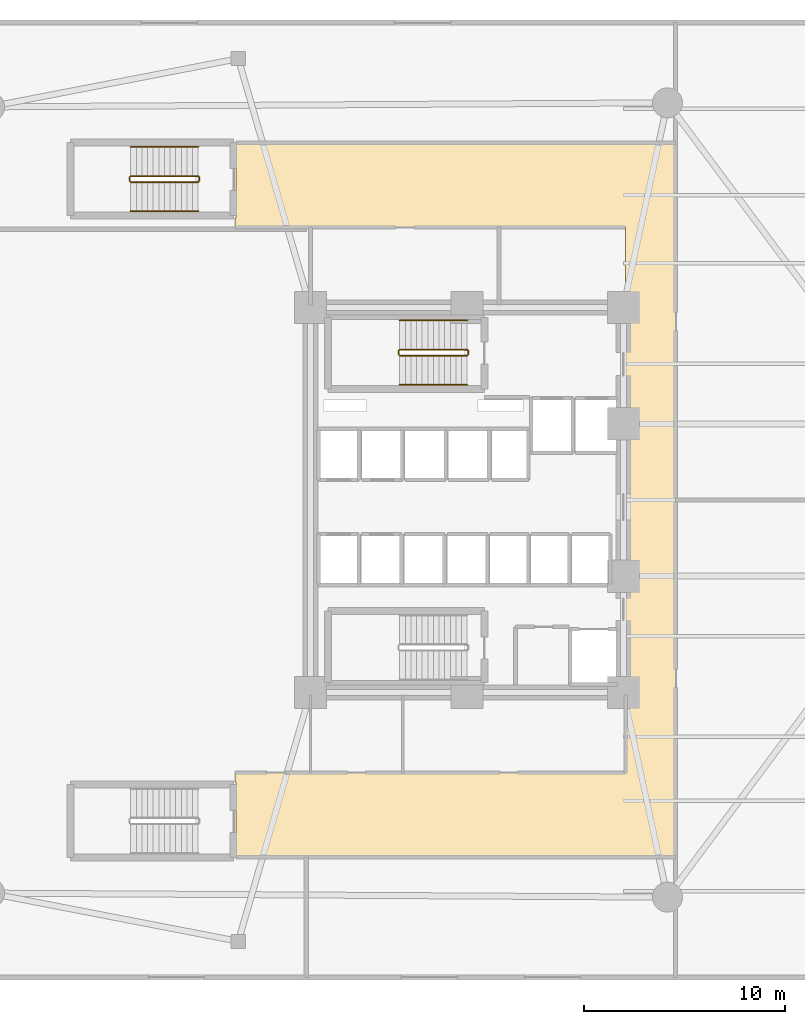
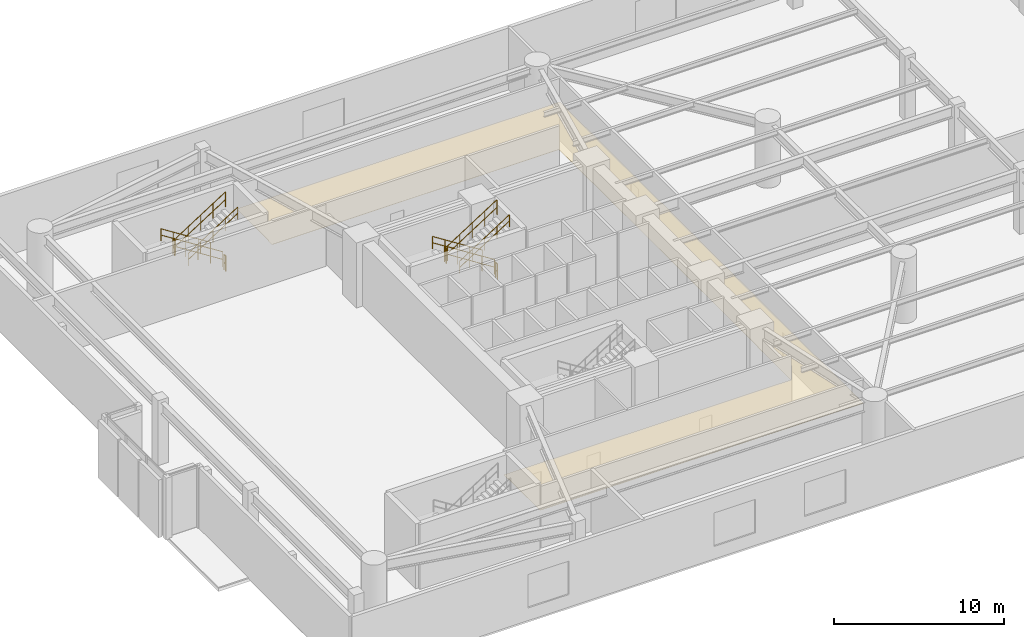
# One storey, part 15 of 16: 12 railings, 1 covering.
"""IFC4 building model written with IfcOpenShell, lengths in metres."""

from ifc_helpers import new_model, si_unit, direction, frame, origin, origin_2d, place, context, subcontext, project, spatial, polyline, circle, outline, extrude, material, layer, layer_set, type_object, element, save


model = new_model("IFC4")

# Units and contexts
model_context = context("Model", 3, precision=1e-05, world=origin(), true_north=direction((0.0, 1.0)))
body_context = subcontext(model_context, "Body", "Model", "MODEL_VIEW")
ifc_project = project(units=[si_unit("LENGTHUNIT", "METRE"), si_unit("AREAUNIT", "SQUARE_METRE"), si_unit("VOLUMEUNIT", "CUBIC_METRE"), si_unit("PLANEANGLEUNIT", "RADIAN"), si_unit("MASSUNIT", "GRAM", prefix="KILO")], contexts=[model_context])

# Site, building, storey
site_placement = place(None, origin())
site = spatial("IfcSite", under=ifc_project, at=site_placement, CompositionType="ELEMENT")
building_placement = place(site_placement, origin())
building = spatial("IfcBuilding", under=site, at=building_placement, Name="An Khanh Terracotta Commons", CompositionType="ELEMENT")
storey_placement = place(building_placement, frame((0.0, 0.0, 10.050048828125)))
storey = spatial("IfcBuildingStorey", under=building, at=storey_placement, Name="L03", CompositionType="ELEMENT", Elevation=10.050048828125)

# Covering
ifc_material_1 = material(Name="Perforated Mineral-Fibre Acoustic Tile")
ifc_layer = layer(ifc_material_1, 0.02001953125, Name="Perforated Mineral-Fibre Acoustic Tile")
ifc_layer_set = layer_set([ifc_layer], Name="Perforated Mineral-Fibre Acoustic Tile")
covering_type = type_object("IfcCoveringType", Name="CEIL-ACOUSTIC-18", PredefinedType="CEILING", material=ifc_layer_set)
covering_placement = place(storey_placement, frame((0.0, 0.0, 2.64990234375)))
element("IfcCovering", 1, at=covering_placement, inside=storey, type_object=covering_type, Name="L03 Gallery Ceiling", PredefinedType="CEILING", context=body_context, shape_type="SweptSolid", body=[
    extrude(outline(polyline([(17.889892578125, 6.199951171875), (17.889892578125, 9.93994140625), (17.85009765625, 9.93994140625), (17.85009765625, 10.39990234375), (37.300048828125, 10.39990234375), (37.300048828125, 14.280029296875), (37.320068359375, 14.280029296875), (37.320068359375, 33.719970703125), (37.300048828125, 33.719970703125), (37.300048828125, 37.60009765625), (17.85009765625, 37.60009765625), (17.85009765625, 38.06005859375), (17.889892578125, 38.06005859375), (17.889892578125, 41.800048828125), (39.800048828125, 41.800048828125), (39.800048828125, 40.0), (39.800048828125, 37.60009765625), (39.800048828125, 10.39990234375), (39.800048828125, 8.0), (39.800048828125, 6.199951171875), (17.889892578125, 6.199951171875)])), origin(), (0.0, 0.0, 1.0), 0.02001953125),
])

# Railings
ifc_material_2 = material(Name="Brushed Stainless Steel 316", Category="steel")
railing_type_1 = type_object("IfcRailingType", Name="RAIL-HANDRAIL-900", PredefinedType="HANDRAIL", material=ifc_material_2)
railing_1_placement = place(storey_placement, frame((29.409912109375, 32.949951171875, 0.1787109375)))
element("IfcRailing", 2, at=railing_1_placement, inside=storey, type_object=railing_type_1, Name="L03 ST-01 stair handrail 1", PredefinedType="HANDRAIL", context=body_context, shape_type="SweptSolid", body=[
    extrude(circle(Radius=0.02392578125, at=origin_2d()), frame((0.0, 0.0, 0.8759765625), z_axis=(-0.842734844946, 0.0, 0.538328878209), x_axis=(0.0, -1.0, 0.0)), (0.0, 0.0, 1.0), 3.98681640625),
    extrude(circle(Radius=0.02392578125, at=origin_2d()), frame((0.0, 0.0, 0.42578125), z_axis=(-0.842734844946, 0.0, 0.538328878209), x_axis=(0.0, -1.0, 0.0)), (0.0, 0.0, 1.0), 3.98681640625),
    extrude(circle(Radius=0.02099609375, at=origin_2d()), origin(), (0.0, 0.0, 1.0), 0.851806640625),
    extrude(circle(Radius=0.02099609375, at=origin_2d()), frame((-0.83984375, 0.0, 0.53662109375)), (0.0, 0.0, 1.0), 0.851806640625),
    extrude(circle(Radius=0.02099609375, at=origin_2d()), frame((-1.679931640625, 0.0, 1.0732421875)), (0.0, 0.0, 1.0), 0.851806640625),
    extrude(circle(Radius=0.02099609375, at=origin_2d()), frame((-2.52001953125, 0.0, 1.609619140625)), (0.0, 0.0, 1.0), 0.851806640625),
    extrude(circle(Radius=0.02099609375, at=origin_2d()), frame((-3.35986328125, 0.0, 2.146240234375)), (0.0, 0.0, 1.0), 0.851806640625),
])
railing_2_placement = place(storey_placement, frame((26.050048828125, 29.75, 2.50390625)))
element("IfcRailing", 3, at=railing_2_placement, inside=storey, type_object=railing_type_1, Name="L03 ST-01 stair handrail 2", PredefinedType="HANDRAIL", context=body_context, shape_type="SweptSolid", body=[
    extrude(circle(Radius=0.02392578125, at=origin_2d()), frame((0.0, 0.0, 0.8759765625), z_axis=(0.842762625749, 0.0, 0.538285385869), x_axis=(0.0, 1.0, 0.0)), (0.0, 0.0, 1.0), 3.98681640625),
    extrude(circle(Radius=0.02392578125, at=origin_2d()), frame((0.0, 0.0, 0.42578125), z_axis=(0.842762625749, 0.0, 0.538285385869), x_axis=(0.0, 1.0, 0.0)), (0.0, 0.0, 1.0), 3.98681640625),
    extrude(circle(Radius=0.02099609375, at=origin_2d()), origin(), (0.0, 0.0, 1.0), 0.851806640625),
    extrude(circle(Radius=0.02099609375, at=origin_2d()), frame((0.83984375, 0.0, 0.53662109375)), (0.0, 0.0, 1.0), 0.851806640625),
    extrude(circle(Radius=0.02099609375, at=origin_2d()), frame((1.679931640625, 0.0, 1.072998046875)), (0.0, 0.0, 1.0), 0.851806640625),
    extrude(circle(Radius=0.02099609375, at=origin_2d()), frame((2.52001953125, 0.0, 1.609375)), (0.0, 0.0, 1.0), 0.851806640625),
    extrude(circle(Radius=0.02099609375, at=origin_2d()), frame((3.35986328125, 0.0, 2.14599609375)), (0.0, 0.0, 1.0), 0.851806640625),
])
railing_3_placement = place(storey_placement, frame((16.0, 41.60009765625, 0.1787109375)))
element("IfcRailing", 4, at=railing_3_placement, inside=storey, type_object=railing_type_1, Name="L03 ST-P2 stair handrail 1", PredefinedType="HANDRAIL", context=body_context, shape_type="SweptSolid", body=[
    extrude(circle(Radius=0.02392578125, at=origin_2d()), frame((0.0, 0.0, 0.8759765625), z_axis=(-0.842752589747, 0.0, 0.538301098341), x_axis=(0.0, -1.0, 0.0)), (0.0, 0.0, 1.0), 3.987060546875),
    extrude(circle(Radius=0.02392578125, at=origin_2d()), frame((0.0, 0.0, 0.42578125), z_axis=(-0.842752589747, 0.0, 0.538301098341), x_axis=(0.0, -1.0, 0.0)), (0.0, 0.0, 1.0), 3.987060546875),
    extrude(circle(Radius=0.02099609375, at=origin_2d()), origin(), (0.0, 0.0, 1.0), 0.851806640625),
    extrude(circle(Radius=0.02099609375, at=origin_2d()), frame((-0.840087890625, 0.0, 0.53662109375)), (0.0, 0.0, 1.0), 0.851806640625),
    extrude(circle(Radius=0.02099609375, at=origin_2d()), frame((-1.68017578125, 0.0, 1.0732421875)), (0.0, 0.0, 1.0), 0.851806640625),
    extrude(circle(Radius=0.02099609375, at=origin_2d()), frame((-2.52001953125, 0.0, 1.609619140625)), (0.0, 0.0, 1.0), 0.851806640625),
    extrude(circle(Radius=0.02099609375, at=origin_2d()), frame((-3.360107421875, 0.0, 2.146240234375)), (0.0, 0.0, 1.0), 0.851806640625),
])
railing_4_placement = place(storey_placement, frame((12.639892578125, 38.39990234375, 2.50390625)))
element("IfcRailing", 5, at=railing_4_placement, inside=storey, type_object=railing_type_1, Name="L03 ST-P2 stair handrail 2", PredefinedType="HANDRAIL", context=body_context, shape_type="SweptSolid", body=[
    extrude(circle(Radius=0.02392578125, at=origin_2d()), frame((0.0, 0.0, 0.8759765625), z_axis=(0.842780368268, 0.0, 0.538257606414), x_axis=(0.0, 1.0, 0.0)), (0.0, 0.0, 1.0), 3.98681640625),
    extrude(circle(Radius=0.02392578125, at=origin_2d()), frame((0.0, 0.0, 0.42578125), z_axis=(0.842780368268, 0.0, 0.538257606414), x_axis=(0.0, 1.0, 0.0)), (0.0, 0.0, 1.0), 3.98681640625),
    extrude(circle(Radius=0.02099609375, at=origin_2d()), origin(), (0.0, 0.0, 1.0), 0.851806640625),
    extrude(circle(Radius=0.02099609375, at=origin_2d()), frame((0.840087890625, 0.0, 0.53662109375)), (0.0, 0.0, 1.0), 0.851806640625),
    extrude(circle(Radius=0.02099609375, at=origin_2d()), frame((1.68017578125, 0.0, 1.072998046875)), (0.0, 0.0, 1.0), 0.851806640625),
    extrude(circle(Radius=0.02099609375, at=origin_2d()), frame((2.52001953125, 0.0, 1.609375)), (0.0, 0.0, 1.0), 0.851806640625),
    extrude(circle(Radius=0.02099609375, at=origin_2d()), frame((3.360107421875, 0.0, 2.14599609375)), (0.0, 0.0, 1.0), 0.851806640625),
])
ifc_material_3 = material(Name="Powder-Coated Steel S355J2", Category="steel")
railing_type_2 = type_object("IfcRailingType", Name="RAIL-STAIR-GUARD-1100", PredefinedType="BALUSTRADE", material=ifc_material_3)
railing_5_placement = place(storey_placement, frame((29.409912109375, 31.5, 0.1787109375)))
element("IfcRailing", 6, at=railing_5_placement, inside=storey, type_object=railing_type_2, Name="L03 ST-01 stair guard 1", PredefinedType="BALUSTRADE", context=body_context, shape_type="SweptSolid", body=[
    extrude(circle(Radius=0.02392578125, at=origin_2d()), frame((0.0, 0.0, 1.076171875), z_axis=(-0.842734844946, 0.0, 0.538328878209), x_axis=(0.0, -1.0, 0.0)), (0.0, 0.0, 1.0), 3.98681640625),
    extrude(circle(Radius=0.02392578125, at=origin_2d()), frame((0.0, 0.0, 0.52587890625), z_axis=(-0.842734844946, 0.0, 0.538328878209), x_axis=(0.0, -1.0, 0.0)), (0.0, 0.0, 1.0), 3.98681640625),
    extrude(circle(Radius=0.02099609375, at=origin_2d()), origin(), (0.0, 0.0, 1.0), 1.052001953125),
    extrude(circle(Radius=0.02099609375, at=origin_2d()), frame((-0.83984375, 0.0, 0.53662109375)), (0.0, 0.0, 1.0), 1.052001953125),
    extrude(circle(Radius=0.02099609375, at=origin_2d()), frame((-1.679931640625, 0.0, 1.0732421875)), (0.0, 0.0, 1.0), 1.052001953125),
    extrude(circle(Radius=0.02099609375, at=origin_2d()), frame((-2.52001953125, 0.0, 1.609619140625)), (0.0, 0.0, 1.0), 1.052001953125),
    extrude(circle(Radius=0.02099609375, at=origin_2d()), frame((-3.35986328125, 0.0, 2.146240234375)), (0.0, 0.0, 1.0), 1.052001953125),
])
railing_6_placement = place(storey_placement, frame((26.0, 31.449951171875, 2.324951171875)))
element("IfcRailing", 7, at=railing_6_placement, inside=storey, type_object=railing_type_2, Name="L03 ST-01 stair guard 2", PredefinedType="BALUSTRADE", context=body_context, shape_type="SweptSolid", body=[
    extrude(circle(Radius=0.02392578125, at=origin_2d()), frame((0.0, 0.0, 1.076171875), z_axis=(0.0, -1.0, 0.0), x_axis=(1.0, 0.0, 0.0)), (0.0, 0.0, 1.0), 0.199951171875),
    extrude(circle(Radius=0.02392578125, at=origin_2d()), frame((0.0, 0.0, 0.52587890625), z_axis=(0.0, -1.0, 0.0), x_axis=(1.0, 0.0, 0.0)), (0.0, 0.0, 1.0), 0.199951171875),
    extrude(circle(Radius=0.02099609375, at=origin_2d()), origin(), (0.0, 0.0, 1.0), 1.052001953125),
    extrude(circle(Radius=0.02099609375, at=origin_2d()), frame((0.0, -0.199951171875, 0.0)), (0.0, 0.0, 1.0), 1.052001953125),
])
railing_7_placement = place(storey_placement, frame((26.050048828125, 31.199951171875, 2.50390625)))
element("IfcRailing", 8, at=railing_7_placement, inside=storey, type_object=railing_type_2, Name="L03 ST-01 stair guard 3", PredefinedType="BALUSTRADE", context=body_context, shape_type="SweptSolid", body=[
    extrude(circle(Radius=0.02392578125, at=origin_2d()), frame((0.0, 0.0, 1.076171875), z_axis=(0.842762625749, 0.0, 0.538285385869), x_axis=(0.0, 1.0, 0.0)), (0.0, 0.0, 1.0), 3.98681640625),
    extrude(circle(Radius=0.02392578125, at=origin_2d()), frame((0.0, 0.0, 0.52587890625), z_axis=(0.842762625749, 0.0, 0.538285385869), x_axis=(0.0, 1.0, 0.0)), (0.0, 0.0, 1.0), 3.98681640625),
    extrude(circle(Radius=0.02099609375, at=origin_2d()), origin(), (0.0, 0.0, 1.0), 1.052001953125),
    extrude(circle(Radius=0.02099609375, at=origin_2d()), frame((0.83984375, 0.0, 0.53662109375)), (0.0, 0.0, 1.0), 1.052001953125),
    extrude(circle(Radius=0.02099609375, at=origin_2d()), frame((1.679931640625, 0.0, 1.072998046875)), (0.0, 0.0, 1.0), 1.052001953125),
    extrude(circle(Radius=0.02099609375, at=origin_2d()), frame((2.52001953125, 0.0, 1.609375)), (0.0, 0.0, 1.0), 1.052001953125),
    extrude(circle(Radius=0.02099609375, at=origin_2d()), frame((3.35986328125, 0.0, 2.14599609375)), (0.0, 0.0, 1.0), 1.052001953125),
])
railing_8_placement = place(storey_placement, frame((29.4599609375, 31.449951171875, 0.0)))
element("IfcRailing", 9, at=railing_8_placement, inside=storey, type_object=railing_type_2, Name="L03 ST-01 stair guard 4", PredefinedType="BALUSTRADE", context=body_context, shape_type="SweptSolid", body=[
    extrude(circle(Radius=0.02392578125, at=origin_2d()), frame((0.0, 0.0, 1.076171875), z_axis=(0.0, -1.0, 0.0), x_axis=(1.0, 0.0, 0.0)), (0.0, 0.0, 1.0), 0.199951171875),
    extrude(circle(Radius=0.02392578125, at=origin_2d()), frame((0.0, 0.0, 0.52587890625), z_axis=(0.0, -1.0, 0.0), x_axis=(1.0, 0.0, 0.0)), (0.0, 0.0, 1.0), 0.199951171875),
    extrude(circle(Radius=0.02099609375, at=origin_2d()), origin(), (0.0, 0.0, 1.0), 1.052001953125),
    extrude(circle(Radius=0.02099609375, at=origin_2d()), frame((0.0, -0.199951171875, 0.0)), (0.0, 0.0, 1.0), 1.052001953125),
])
railing_9_placement = place(storey_placement, frame((16.0, 40.14990234375, 0.1787109375)))
element("IfcRailing", 10, at=railing_9_placement, inside=storey, type_object=railing_type_2, Name="L03 ST-P2 stair guard 1", PredefinedType="BALUSTRADE", context=body_context, shape_type="SweptSolid", body=[
    extrude(circle(Radius=0.02392578125, at=origin_2d()), frame((0.0, 0.0, 1.076171875), z_axis=(-0.842752589747, 0.0, 0.538301098341), x_axis=(0.0, -1.0, 0.0)), (0.0, 0.0, 1.0), 3.987060546875),
    extrude(circle(Radius=0.02392578125, at=origin_2d()), frame((0.0, 0.0, 0.52587890625), z_axis=(-0.842752589747, 0.0, 0.538301098341), x_axis=(0.0, -1.0, 0.0)), (0.0, 0.0, 1.0), 3.987060546875),
    extrude(circle(Radius=0.02099609375, at=origin_2d()), origin(), (0.0, 0.0, 1.0), 1.052001953125),
    extrude(circle(Radius=0.02099609375, at=origin_2d()), frame((-0.840087890625, 0.0, 0.53662109375)), (0.0, 0.0, 1.0), 1.052001953125),
    extrude(circle(Radius=0.02099609375, at=origin_2d()), frame((-1.68017578125, 0.0, 1.0732421875)), (0.0, 0.0, 1.0), 1.052001953125),
    extrude(circle(Radius=0.02099609375, at=origin_2d()), frame((-2.52001953125, 0.0, 1.609619140625)), (0.0, 0.0, 1.0), 1.052001953125),
    extrude(circle(Radius=0.02099609375, at=origin_2d()), frame((-3.360107421875, 0.0, 2.146240234375)), (0.0, 0.0, 1.0), 1.052001953125),
])
railing_10_placement = place(storey_placement, frame((12.590087890625, 40.10009765625, 2.324951171875)))
element("IfcRailing", 11, at=railing_10_placement, inside=storey, type_object=railing_type_2, Name="L03 ST-P2 stair guard 2", PredefinedType="BALUSTRADE", context=body_context, shape_type="SweptSolid", body=[
    extrude(circle(Radius=0.02392578125, at=origin_2d()), frame((0.0, 0.0, 1.076171875), z_axis=(0.0, -1.0, 0.0), x_axis=(1.0, 0.0, 0.0)), (0.0, 0.0, 1.0), 0.2001953125),
    extrude(circle(Radius=0.02392578125, at=origin_2d()), frame((0.0, 0.0, 0.52587890625), z_axis=(0.0, -1.0, 0.0), x_axis=(1.0, 0.0, 0.0)), (0.0, 0.0, 1.0), 0.2001953125),
    extrude(circle(Radius=0.02099609375, at=origin_2d()), origin(), (0.0, 0.0, 1.0), 1.052001953125),
    extrude(circle(Radius=0.02099609375, at=origin_2d()), frame((0.0, -0.2001953125, 0.0)), (0.0, 0.0, 1.0), 1.052001953125),
])
railing_11_placement = place(storey_placement, frame((12.639892578125, 39.85009765625, 2.50390625)))
element("IfcRailing", 12, at=railing_11_placement, inside=storey, type_object=railing_type_2, Name="L03 ST-P2 stair guard 3", PredefinedType="BALUSTRADE", context=body_context, shape_type="SweptSolid", body=[
    extrude(circle(Radius=0.02392578125, at=origin_2d()), frame((0.0, 0.0, 1.076171875), z_axis=(0.842780368268, 0.0, 0.538257606414), x_axis=(0.0, 1.0, 0.0)), (0.0, 0.0, 1.0), 3.98681640625),
    extrude(circle(Radius=0.02392578125, at=origin_2d()), frame((0.0, 0.0, 0.52587890625), z_axis=(0.842780368268, 0.0, 0.538257606414), x_axis=(0.0, 1.0, 0.0)), (0.0, 0.0, 1.0), 3.98681640625),
    extrude(circle(Radius=0.02099609375, at=origin_2d()), origin(), (0.0, 0.0, 1.0), 1.052001953125),
    extrude(circle(Radius=0.02099609375, at=origin_2d()), frame((0.840087890625, 0.0, 0.53662109375)), (0.0, 0.0, 1.0), 1.052001953125),
    extrude(circle(Radius=0.02099609375, at=origin_2d()), frame((1.68017578125, 0.0, 1.072998046875)), (0.0, 0.0, 1.0), 1.052001953125),
    extrude(circle(Radius=0.02099609375, at=origin_2d()), frame((2.52001953125, 0.0, 1.609375)), (0.0, 0.0, 1.0), 1.052001953125),
    extrude(circle(Radius=0.02099609375, at=origin_2d()), frame((3.360107421875, 0.0, 2.14599609375)), (0.0, 0.0, 1.0), 1.052001953125),
])
railing_12_placement = place(storey_placement, frame((16.050048828125, 40.10009765625, 0.0)))
element("IfcRailing", 13, at=railing_12_placement, inside=storey, type_object=railing_type_2, Name="L03 ST-P2 stair guard 4", PredefinedType="BALUSTRADE", context=body_context, shape_type="SweptSolid", body=[
    extrude(circle(Radius=0.02392578125, at=origin_2d()), frame((0.0, 0.0, 1.076171875), z_axis=(0.0, -1.0, 0.0), x_axis=(1.0, 0.0, 0.0)), (0.0, 0.0, 1.0), 0.2001953125),
    extrude(circle(Radius=0.02392578125, at=origin_2d()), frame((0.0, 0.0, 0.52587890625), z_axis=(0.0, -1.0, 0.0), x_axis=(1.0, 0.0, 0.0)), (0.0, 0.0, 1.0), 0.2001953125),
    extrude(circle(Radius=0.02099609375, at=origin_2d()), origin(), (0.0, 0.0, 1.0), 1.052001953125),
    extrude(circle(Radius=0.02099609375, at=origin_2d()), frame((0.0, -0.2001953125, 0.0)), (0.0, 0.0, 1.0), 1.052001953125),
])

save(model, "model.ifc")
